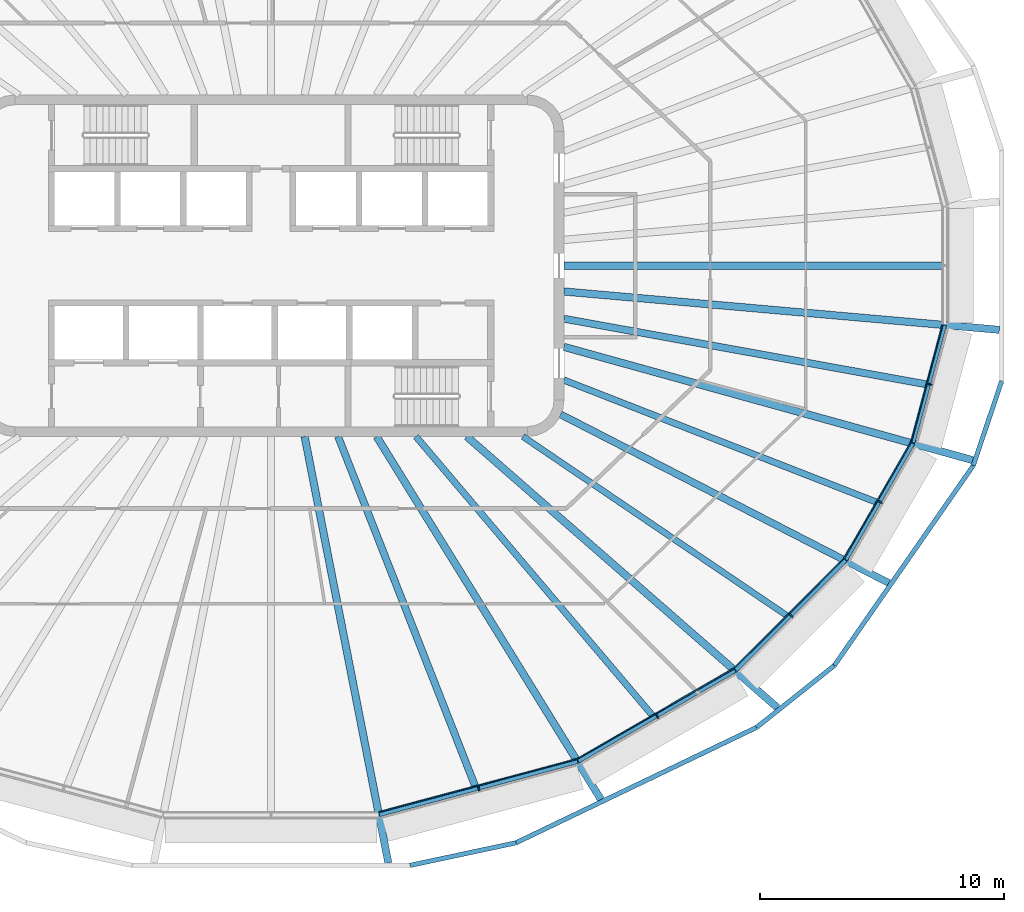
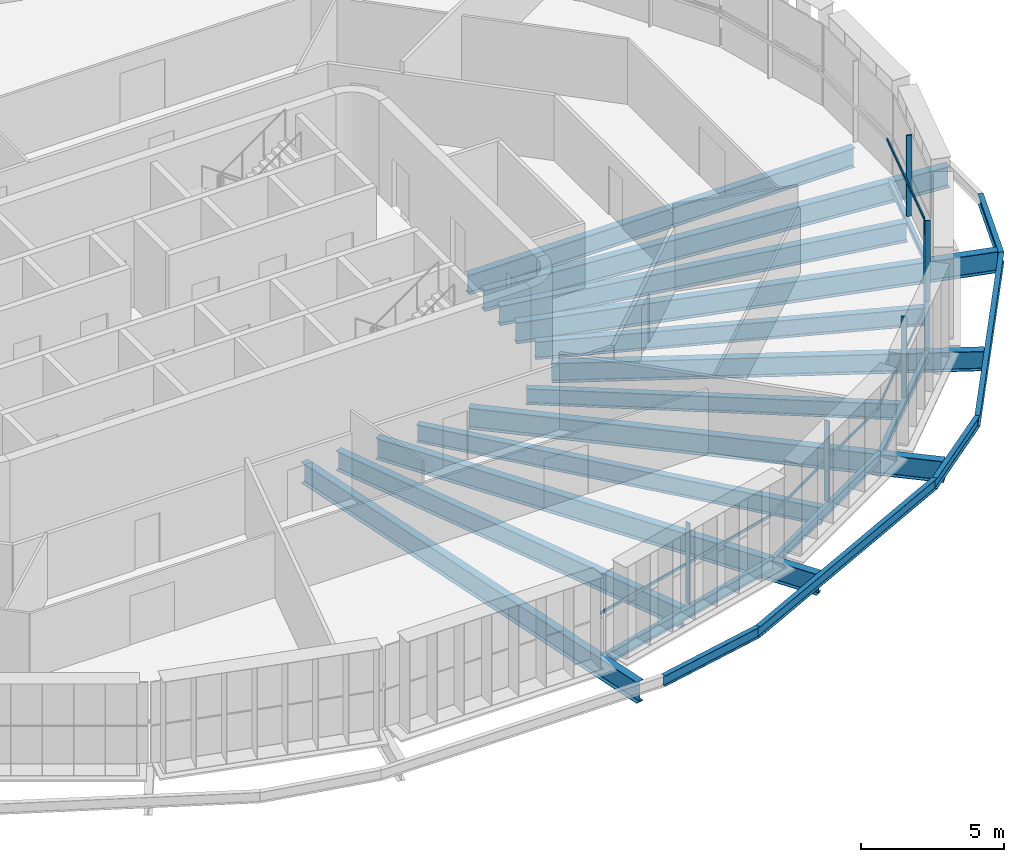
# One storey, part 4 of 18: 22 beams, 10 members, 5 elements without a shape of their own.
"""IFC4 building model written with IfcOpenShell, lengths in metres."""

import ifcopenshell
import ifcopenshell.guid

model = None  # the IFC model being written
_history = None  # IfcOwnerHistory: only IFC2X3 demands one
_inside = {}  # id of a spatial element -> (the spatial element, [elements in it])
_under = {}  # id of a project, library or spatial element -> (it, [spatial elements below it])
_declared = {}  # id of a project -> (the project, [libraries it declares])
_typed = {}  # id of a type object -> (the type object, [elements of that type])
_made_of = {}  # id of a material, layer set ... -> (it, [elements and type objects made of it])


def new_model(schema):
    """Start an empty IFC model of exactly this schema.

    Asked for "IFC4X3", IfcOpenShell would pick the latest addendum, in which some entities
    have other attributes; the version numbers below select the first issue.
    IFC2X3 requires an IfcOwnerHistory on every rooted entity: one is made here for all.
    """
    global model, _history
    if schema == "IFC4X3":
        model = ifcopenshell.file(schema_version=(4, 3, 0, 0))
    else:
        model = ifcopenshell.file(schema=schema)
    _inside.clear()
    _under.clear()
    _declared.clear()
    _typed.clear()
    _made_of.clear()
    _history = None
    if model.schema == "IFC2X3":
        org = make("IfcOrganization", Name="unknown")
        user = make(
            "IfcPersonAndOrganization",
            ThePerson=make("IfcPerson", FamilyName="unknown"),
            TheOrganization=org,
        )
        app = make(
            "IfcApplication",
            ApplicationDeveloper=org,
            Version="unknown",
            ApplicationFullName="unknown",
            ApplicationIdentifier="unknown",
        )
        _history = make(
            "IfcOwnerHistory",
            OwningUser=user,
            OwningApplication=app,
            ChangeAction="ADDED",
            CreationDate=0,
        )
    return model


def make(cls, **values):
    """One entity of the class cls with the attributes given. An attribute that is None is left unset."""
    return model.create_entity(
        cls, **{name: value for name, value in values.items() if value is not None}
    )


def rooted(cls, **values):
    """An entity with a GlobalId (a new one), such as an element, a storey or a relation."""
    return make(cls, GlobalId=ifcopenshell.guid.new(), OwnerHistory=_history, **values)


def si_unit(unit_type, name, prefix=None):
    """IfcSIUnit, for example si_unit("LENGTHUNIT", "METRE", prefix="MILLI")."""
    return make("IfcSIUnit", UnitType=unit_type, Prefix=prefix, Name=name)


def assignment(units):
    """IfcUnitAssignment: the units of a project."""
    return None if units is None else make("IfcUnitAssignment", Units=units)


def point(xyz):
    """IfcCartesianPoint."""
    return None if xyz is None else make("IfcCartesianPoint", Coordinates=xyz)


def direction(xyz):
    """IfcDirection."""
    return None if xyz is None else make("IfcDirection", DirectionRatios=xyz)


def frame(location, z_axis=None, x_axis=None):
    """IfcAxis2Placement3D, a coordinate frame: its origin and axes. An axis left out is left unset."""
    return make(
        "IfcAxis2Placement3D",
        Location=point(location),
        Axis=direction(z_axis),
        RefDirection=direction(x_axis),
    )


def frame_2d(location, x_axis=None):
    """IfcAxis2Placement2D, a coordinate frame in the plane: its origin and x axis."""
    return make(
        "IfcAxis2Placement2D", Location=point(location), RefDirection=direction(x_axis)
    )


def origin():
    """The frame at (0, 0, 0) with its axes left unset."""
    return frame((0.0, 0.0, 0.0))


def origin_2d():
    """The frame at (0, 0) in the plane with its x axis left unset."""
    return frame_2d((0.0, 0.0))


def place(relative_to, where):
    """IfcLocalPlacement: puts the frame where relative to a parent placement (None: the world)."""
    return make(
        "IfcLocalPlacement", PlacementRelTo=relative_to, RelativePlacement=where
    )


def context(
    kind, dimensions, precision=None, world=None, true_north=None, identifier=None
):
    """IfcGeometricRepresentationContext, for example the 3D "Model" context."""
    return make(
        "IfcGeometricRepresentationContext",
        ContextIdentifier=identifier,
        ContextType=kind,
        CoordinateSpaceDimension=dimensions,
        Precision=precision,
        WorldCoordinateSystem=world,
        TrueNorth=true_north,
    )


def subcontext(parent, identifier, kind, view, scale=None):
    """IfcGeometricRepresentationSubContext, for example "Body" below "Model"."""
    return make(
        "IfcGeometricRepresentationSubContext",
        ContextIdentifier=identifier,
        ContextType=kind,
        ParentContext=parent,
        TargetScale=scale,
        TargetView=view,
    )


def project(units=None, contexts=None):
    """IfcProject with its units and contexts."""
    return rooted(
        "IfcProject",
        Name="project",
        RepresentationContexts=contexts,
        UnitsInContext=assignment(units),
    )


def spatial(cls, under=None, at=None, **own):
    """A site, building, storey or space (cls), placed at a placement, below another one or the project."""
    s = rooted(cls, ObjectPlacement=at, **own)
    if under is not None:
        _under.setdefault(under.id(), (under, []))[1].append(s)
    return s


def profile(cls, at=None, kind="AREA", **sizes):
    """A parametric profile (cls). Its sizes go by their IFC names, for example OverallWidth=200.0."""
    return make(cls, ProfileType=kind, Position=at, **sizes)


def rectangle(**sizes):
    """IfcRectangleProfileDef."""
    return profile("IfcRectangleProfileDef", **sizes)


def i_section(**sizes):
    """IfcIShapeProfileDef."""
    return profile("IfcIShapeProfileDef", **sizes)


def extrude(swept, where, along, depth):
    """IfcExtrudedAreaSolid: the profile swept, set in the frame where, extruded along a direction by depth."""
    return make(
        "IfcExtrudedAreaSolid",
        SweptArea=swept,
        Position=where,
        ExtrudedDirection=direction(along),
        Depth=depth,
    )


def shape(context_of_items, identifier, shape_type, items):
    """IfcShapeRepresentation: the items that make up one representation, for example the "Body"."""
    return make(
        "IfcShapeRepresentation",
        ContextOfItems=context_of_items,
        RepresentationIdentifier=identifier,
        RepresentationType=shape_type,
        Items=items,
    )


def material(Name=None, Category=None):
    """IfcMaterial."""
    return make("IfcMaterial", Name=Name, Category=Category)


def layer(
    of_material, thickness, ventilated=None, Name=None, Category=None, Priority=None
):
    """IfcMaterialLayer: one layer of a wall or slab, of a material (None: an air gap)."""
    return make(
        "IfcMaterialLayer",
        Material=of_material,
        LayerThickness=thickness,
        IsVentilated=ventilated,
        Name=Name,
        Category=Category,
        Priority=Priority,
    )


def layer_set(layers, Name=None):
    """IfcMaterialLayerSet."""
    return make("IfcMaterialLayerSet", MaterialLayers=layers, LayerSetName=Name)


def material_profile(
    of_material, cross_section, Name=None, Category=None, Priority=None
):
    """IfcMaterialProfile: a cross section and its material."""
    return make(
        "IfcMaterialProfile",
        Name=Name,
        Material=of_material,
        Profile=cross_section,
        Priority=Priority,
        Category=Category,
    )


def profile_set(profiles, Name=None, composite=None):
    """IfcMaterialProfileSet."""
    return make(
        "IfcMaterialProfileSet",
        Name=Name,
        MaterialProfiles=profiles,
        CompositeProfile=composite,
    )


def made_of(thing, what):
    """Note that an element or type object is made of a material, layer set ...; save() writes the relation."""
    if what is not None:
        _made_of.setdefault(what.id(), (what, []))[1].append(thing)
    return thing


def type_object(cls, material=None, **own):
    """A type object (cls), such as IfcWallType, which elements share."""
    return made_of(rooted(cls, **own), material)


def element(
    cls,
    number,
    at=None,
    inside=None,
    cuts=None,
    type_object=None,
    material=None,
    context=None,
    identifier="Body",
    shape_type=None,
    held_by="IfcProductDefinitionShape",
    body=None,
    shapes=None,
    **own,
):
    """One element of the class cls, such as IfcWall. Its Tag is "e" and its number.

    at: its placement. inside: the storey or other place that contains it. cuts: it is an
    opening in that element (IfcRelVoidsElement). A single representation is given by context,
    identifier, shape_type and body (its items); several are given by shapes. held_by: the class
    of the entity that holds the representations. save() writes the other relations.
    """
    e = rooted(cls, Tag="e%d" % number, ObjectPlacement=at, **own)
    if body is not None:
        shapes = [shape(context, identifier, shape_type, body)]
    if shapes is not None:
        e.Representation = make(held_by, Representations=shapes)
    if inside is not None:
        _inside.setdefault(inside.id(), (inside, []))[1].append(e)
    if cuts is not None:
        rooted(
            "IfcRelVoidsElement", RelatingBuildingElement=cuts, RelatedOpeningElement=e
        )
    if type_object is not None:
        _typed.setdefault(type_object.id(), (type_object, []))[1].append(e)
    return made_of(e, material)


def aggregate(whole, parts):
    """IfcRelAggregates: a whole, such as a stair, and the parts it consists of."""
    return rooted("IfcRelAggregates", RelatingObject=whole, RelatedObjects=parts)


def save(model, path):
    """Write the relations noted so far, then the file.

    IfcRelAggregates (storeys below a building ...), IfcRelContainedInSpatialStructure (elements
    in a storey), IfcRelDefinesByType, IfcRelAssociatesMaterial and IfcRelDeclares: one each for
    every whole, place, type object, material and project.
    """
    for whole, parts in _under.values():
        aggregate(whole, parts)
    for where, things in _inside.values():
        rooted(
            "IfcRelContainedInSpatialStructure",
            RelatedElements=things,
            RelatingStructure=where,
        )
    for kind, things in _typed.values():
        rooted("IfcRelDefinesByType", RelatedObjects=things, RelatingType=kind)
    for what, things in _made_of.values():
        rooted("IfcRelAssociatesMaterial", RelatedObjects=things, RelatingMaterial=what)
    for by, libraries in _declared.values():
        rooted("IfcRelDeclares", RelatingContext=by, RelatedDefinitions=libraries)
    model.write(path)


model = new_model("IFC4")

# Units and contexts
model_context = context("Model", 3, precision=1e-05, world=origin(), true_north=direction((0.0, 1.0)))
body_context = subcontext(model_context, "Body", "Model", "MODEL_VIEW")
ifc_project = project(units=[si_unit("LENGTHUNIT", "METRE"), si_unit("AREAUNIT", "SQUARE_METRE"), si_unit("VOLUMEUNIT", "CUBIC_METRE"), si_unit("PLANEANGLEUNIT", "RADIAN"), si_unit("MASSUNIT", "GRAM", prefix="KILO")], contexts=[model_context])

# Site, building, storey
site_placement = place(None, origin())
site = spatial("IfcSite", under=ifc_project, at=site_placement, CompositionType="ELEMENT")
building_placement = place(site_placement, origin())
building = spatial("IfcBuilding", under=site, at=building_placement, Name="Sahrelin Media Tower", CompositionType="ELEMENT")
storey_placement = place(building_placement, frame((0.0, 0.0, 295.0)))
storey = spatial("IfcBuildingStorey", under=building, at=storey_placement, Name="L65", CompositionType="ELEMENT", Elevation=295.0)

# Beams
ifc_material_1 = material(Name="Steel S355", Category="steel")
ifc_material_profile_1 = material_profile(ifc_material_1, i_section(OverallWidth=0.14599609375, OverallDepth=0.25146484375, WebThickness=0.006103515625, FlangeThickness=0.008544921875, FilletRadius=0.007568359375, at=origin_2d()), Name="UB 254x146x31")
ifc_profile_set_1 = profile_set([ifc_material_profile_1], Name="Steel S355")
beam_type_1 = type_object("IfcBeamType", Name="Edge beam EB1", PredefinedType="BEAM", material=ifc_profile_set_1)
beam_1_placement = place(storey_placement, frame((27.602783203125, -2.4384765625, -0.275634765625), z_axis=(-0.258816802919, -0.965926427078, 0.0), x_axis=(0.965926427078, -0.258816802919, 0.0)))
element("IfcBeam", 1, at=beam_1_placement, inside=storey, type_object=beam_type_1, Name="Edge beam L65-02", PredefinedType="BEAM", context=body_context, shape_type="SweptSolid", body=[
    extrude(i_section(OverallWidth=0.14599609375, OverallDepth=0.25146484375, WebThickness=0.006103515625, FlangeThickness=0.008544921875, FilletRadius=0.007568359375, at=origin_2d()), origin(), (0.0, 0.0, 1.0), 4.989013671875),
])
ifc_material_profile_2 = material_profile(ifc_material_1, i_section(OverallWidth=0.1650390625, OverallDepth=0.303466796875, WebThickness=0.006103515625, FlangeThickness=0.01025390625, FilletRadius=0.0087890625, at=origin_2d()), Name="UB 305x165x40")
ifc_profile_set_2 = profile_set([ifc_material_profile_2], Name="Steel S355")
beam_type_2 = type_object("IfcBeamType", Name="Edge beam EB2", PredefinedType="BEAM", material=ifc_profile_set_2)
beam_2_placement = place(storey_placement, frame((26.300537109375, -7.2841796875, -0.3017578125), z_axis=(-0.500009232748, -0.866020073189, 0.0), x_axis=(0.866020073189, -0.500009232748, 0.0)))
element("IfcBeam", 2, at=beam_2_placement, inside=storey, type_object=beam_type_2, Name="Edge beam L65-03", PredefinedType="BEAM", context=body_context, shape_type="SweptSolid", body=[
    extrude(i_section(OverallWidth=0.1650390625, OverallDepth=0.303466796875, WebThickness=0.006103515625, FlangeThickness=0.01025390625, FilletRadius=0.0087890625, at=origin_2d()), origin(), (0.0, 0.0, 1.0), 5.50244140625),
])
ifc_material_profile_3 = material_profile(ifc_material_1, i_section(OverallWidth=0.17138671875, OverallDepth=0.35498046875, WebThickness=0.00732421875, FlangeThickness=0.011474609375, FilletRadius=0.01025390625, at=origin_2d()), Name="UB 356x171x51")
ifc_profile_set_3 = profile_set([ifc_material_profile_3], Name="Steel S355")
beam_type_3 = type_object("IfcBeamType", Name="Edge beam EB3", PredefinedType="BEAM", material=ifc_profile_set_3)
beam_3_placement = place(storey_placement, frame((23.53173828125, -12.072265625, -0.327392578125), z_axis=(-0.707106781187, -0.707106781187, 0.0), x_axis=(0.707106781187, -0.707106781187, 0.0)))
element("IfcBeam", 3, at=beam_3_placement, inside=storey, type_object=beam_type_3, Name="Edge beam L65-04", PredefinedType="BEAM", context=body_context, shape_type="SweptSolid", body=[
    extrude(i_section(OverallWidth=0.17138671875, OverallDepth=0.35498046875, WebThickness=0.00732421875, FlangeThickness=0.011474609375, FilletRadius=0.01025390625, at=origin_2d()), origin(), (0.0, 0.0, 1.0), 6.3515625),
])
ifc_material_profile_4 = material_profile(ifc_material_1, i_section(OverallWidth=0.177978515625, OverallDepth=0.406494140625, WebThickness=0.0078125, FlangeThickness=0.0126953125, FilletRadius=0.01025390625, at=origin_2d()), Name="UB 406x178x60")
ifc_profile_set_4 = profile_set([ifc_material_profile_4], Name="Steel S355")
beam_type_4 = type_object("IfcBeamType", Name="Edge beam EB4", PredefinedType="BEAM", material=ifc_profile_set_4)
beam_4_placement = place(storey_placement, frame((19.017578125, -16.580810546875, -0.353271484375), z_axis=(-0.866009322333, -0.500027852856, 0.0), x_axis=(0.500027852856, -0.866009322333, 0.0)))
element("IfcBeam", 4, at=beam_4_placement, inside=storey, type_object=beam_type_4, Name="Edge beam L65-05", PredefinedType="BEAM", context=body_context, shape_type="SweptSolid", body=[
    extrude(i_section(OverallWidth=0.177978515625, OverallDepth=0.406494140625, WebThickness=0.0078125, FlangeThickness=0.0126953125, FilletRadius=0.01025390625, at=origin_2d()), origin(), (0.0, 0.0, 1.0), 7.42724609375),
])
ifc_material_profile_5 = material_profile(ifc_material_1, i_section(OverallWidth=0.1904296875, OverallDepth=0.45703125, WebThickness=0.009033203125, FlangeThickness=0.014404296875, FilletRadius=0.01025390625, at=origin_2d()), Name="UB 457x191x74")
ifc_profile_set_5 = profile_set([ifc_material_profile_5], Name="Steel S355")
beam_type_5 = type_object("IfcBeamType", Name="Edge beam EB5", PredefinedType="BEAM", material=ifc_profile_set_5)
beam_5_placement = place(storey_placement, frame((12.558837890625, -20.3056640625, -0.37841796875), z_axis=(-0.965928221005, -0.258810107735, 0.0), x_axis=(0.258810107735, -0.965928221005, 0.0)))
element("IfcBeam", 5, at=beam_5_placement, inside=storey, type_object=beam_type_5, Name="Edge beam L65-06", PredefinedType="BEAM", context=body_context, shape_type="SweptSolid", body=[
    extrude(i_section(OverallWidth=0.1904296875, OverallDepth=0.45703125, WebThickness=0.009033203125, FlangeThickness=0.014404296875, FilletRadius=0.01025390625, at=origin_2d()), origin(), (0.0, 0.0, 1.0), 8.40771484375),
])

# Curtain wall, member
ifc_material_2 = material(Name="Champagne anodised aluminium 6063-T6", Category="aluminium")
ifc_layer = layer(ifc_material_2, 0.14990234375)
ifc_layer_set = layer_set([ifc_layer], Name="Tower ribbon curtain wall")
curtain_wall_type = type_object("IfcCurtainWallType", Name="Tower ribbon curtain wall", PredefinedType="NOTDEFINED", material=ifc_layer_set)
curtain_wall_1_placement = place(storey_placement, frame((8.536865234375, -21.53857421875, 0.0), z_axis=(0.0, 0.0, 1.0), x_axis=(1.0, 0.0, 0.0)))
curtain_wall_1 = element("IfcCurtainWall", 6, at=curtain_wall_1_placement, inside=storey, type_object=curtain_wall_type, Name="L65:CW:L65-19", PredefinedType="NOTDEFINED")
ifc_material_profile_6 = material_profile(ifc_material_2, rectangle(XDim=0.06005859375, YDim=0.199951171875, at=origin_2d()), Name="Mullion 60x200")
ifc_profile_set_6 = profile_set([ifc_material_profile_6], Name="Champagne anodised aluminium 6063-T6")
member_type_1 = type_object("IfcMemberType", Name="Mullion 60x200 CW1C", PredefinedType="MULLION", material=ifc_profile_set_6)
member_1_placement = place(storey_placement, frame((8.505859375, -21.422607421875, 0.0), z_axis=(0.0, 0.0, 1.0), x_axis=(0.965927633163, 0.258812301662, 0.0)))
member_1 = element("IfcMember", 7, at=member_1_placement, type_object=member_type_1, Name="L65:CWM:L65-19", PredefinedType="MULLION", context=body_context, shape_type="SweptSolid", body=[
    extrude(rectangle(XDim=0.06005859375, YDim=0.199951171875, at=origin_2d()), origin(), (0.0, 0.0, 1.0), 3.448486328125),
])

curtain_wall_2_placement = place(storey_placement, frame((15.876708984375, -18.567626953125, 0.0), z_axis=(0.0, 0.0, 1.0), x_axis=(1.0, 0.0, 0.0)))
curtain_wall_2 = element("IfcCurtainWall", 8, at=curtain_wall_2_placement, inside=storey, type_object=curtain_wall_type, Name="L65:CW:L65-20", PredefinedType="NOTDEFINED")
member_2_placement = place(storey_placement, frame((15.81640625, -18.4638671875, 0.0), z_axis=(0.0, 0.0, 1.0), x_axis=(0.866024531118, 0.500001511499, 0.0)))
member_2 = element("IfcMember", 9, at=member_2_placement, type_object=member_type_1, Name="L65:CWM:L65-20", PredefinedType="MULLION", context=body_context, shape_type="SweptSolid", body=[
    extrude(rectangle(XDim=0.06005859375, YDim=0.199951171875, at=origin_2d()), origin(), (0.0, 0.0, 1.0), 3.448486328125),
])

curtain_wall_3_placement = place(storey_placement, frame((21.39208984375, -14.423828125, 0.0), z_axis=(0.0, 0.0, 1.0), x_axis=(1.0, 0.0, 0.0)))
curtain_wall_3 = element("IfcCurtainWall", 10, at=curtain_wall_3_placement, inside=storey, type_object=curtain_wall_type, Name="L65:CW:L65-21", PredefinedType="NOTDEFINED")
member_3_placement = place(storey_placement, frame((21.307373046875, -14.339111328125, 0.0), z_axis=(0.0, 0.0, 1.0), x_axis=(0.707106781187, 0.707106781187, 0.0)))
member_3 = element("IfcMember", 11, at=member_3_placement, type_object=member_type_1, Name="L65:CWM:L65-21", PredefinedType="MULLION", context=body_context, shape_type="SweptSolid", body=[
    extrude(rectangle(XDim=0.06005859375, YDim=0.199951171875, at=origin_2d()), origin(), (0.0, 0.0, 1.0), 3.448486328125),
])

curtain_wall_4_placement = place(storey_placement, frame((25.054931640625, -9.74169921875, 0.0), z_axis=(0.0, 0.0, 1.0), x_axis=(1.0, 0.0, 0.0)))
curtain_wall_4 = element("IfcCurtainWall", 12, at=curtain_wall_4_placement, inside=storey, type_object=curtain_wall_type, Name="L65:CW:L65-22", PredefinedType="NOTDEFINED")
member_4_placement = place(storey_placement, frame((24.950927734375, -9.681640625, 0.0), z_axis=(0.0, 0.0, 1.0), x_axis=(0.500010580459, 0.866019295067, 0.0)))
member_4 = element("IfcMember", 13, at=member_4_placement, type_object=member_type_1, Name="L65:CWM:L65-22", PredefinedType="MULLION", context=body_context, shape_type="SweptSolid", body=[
    extrude(rectangle(XDim=0.06005859375, YDim=0.199951171875, at=origin_2d()), origin(), (0.0, 0.0, 1.0), 3.448486328125),
])

curtain_wall_5_placement = place(storey_placement, frame((27.10205078125, -4.886962890625, 0.0), z_axis=(0.0, 0.0, 1.0), x_axis=(1.0, 0.0, 0.0)))
curtain_wall_5 = element("IfcCurtainWall", 14, at=curtain_wall_5_placement, inside=storey, type_object=curtain_wall_type, Name="L65:CW:L65-23", PredefinedType="NOTDEFINED")
member_5_placement = place(storey_placement, frame((26.986083984375, -4.855712890625, 0.0), z_axis=(0.0, 0.0, 1.0), x_axis=(0.258817359244, 0.965926278012, 0.0)))
member_5 = element("IfcMember", 15, at=member_5_placement, type_object=member_type_1, Name="L65:CWM:L65-23", PredefinedType="MULLION", context=body_context, shape_type="SweptSolid", body=[
    extrude(rectangle(XDim=0.06005859375, YDim=0.199951171875, at=origin_2d()), origin(), (0.0, 0.0, 1.0), 3.448486328125),
])

# Beams
ifc_material_profile_7 = material_profile(ifc_material_1, i_section(OverallWidth=0.291748046875, OverallDepth=0.8349609375, WebThickness=0.013916015625, FlangeThickness=0.018798828125, FilletRadius=0.017822265625, at=origin_2d()), Name="UB 838x292x176")
ifc_profile_set_7 = profile_set([ifc_material_profile_7], Name="Steel S355")
beam_type_6 = type_object("IfcBeamType", Name="Radial primary beam PB10", PredefinedType="BEAM", material=ifc_profile_set_7)
beam_6_placement = place(storey_placement, frame((11.86376953125, -6.09375, -0.5673828125), z_axis=(0.889517357892, -0.456901378865, 0.0), x_axis=(0.456901378865, 0.889517357892, 0.0)))
element("IfcBeam", 16, at=beam_6_placement, inside=storey, type_object=beam_type_6, Name="Radial beam L65-22", PredefinedType="BEAM", context=body_context, shape_type="SweptSolid", body=[
    extrude(i_section(OverallWidth=0.291748046875, OverallDepth=0.8349609375, WebThickness=0.013916015625, FlangeThickness=0.018798828125, FilletRadius=0.017822265625, at=origin_2d()), origin(), (0.0, 0.0, 1.0), 15.11962890625),
])
ifc_material_profile_8 = material_profile(ifc_material_1, i_section(OverallWidth=0.30322265625, OverallDepth=0.903076171875, WebThickness=0.01513671875, FlangeThickness=0.020263671875, FilletRadius=0.01904296875, at=origin_2d()), Name="UB 914x305x201")
ifc_profile_set_8 = profile_set([ifc_material_profile_8], Name="Steel S355")
beam_type_7 = type_object("IfcBeamType", Name="Radial primary beam PB11", PredefinedType="BEAM", material=ifc_profile_set_8)
beam_7_placement = place(storey_placement, frame((1.3740234375, -7.0, -0.6015625), z_axis=(0.192606492872, -0.981276076802, 0.0), x_axis=(0.981276076802, 0.192606492872, 0.0)))
element("IfcBeam", 17, at=beam_7_placement, inside=storey, type_object=beam_type_7, Name="Radial beam L65-19", PredefinedType="BEAM", context=body_context, shape_type="SweptSolid", body=[
    extrude(i_section(OverallWidth=0.30322265625, OverallDepth=0.903076171875, WebThickness=0.01513671875, FlangeThickness=0.020263671875, FilletRadius=0.01904296875, at=origin_2d()), origin(), (0.0, 0.0, 1.0), 17.811767578125),
])
beam_8_placement = place(storey_placement, frame((4.3251953125, -7.0, -0.6015625), z_axis=(0.525640038522, -0.850707088194, 0.0), x_axis=(0.850707088194, 0.525640038522, 0.0)))
element("IfcBeam", 18, at=beam_8_placement, inside=storey, type_object=beam_type_7, Name="Radial beam L65-20", PredefinedType="BEAM", context=body_context, shape_type="SweptSolid", body=[
    extrude(i_section(OverallWidth=0.30322265625, OverallDepth=0.903076171875, WebThickness=0.01513671875, FlangeThickness=0.020263671875, FilletRadius=0.01904296875, at=origin_2d()), origin(), (0.0, 0.0, 1.0), 17.48291015625),
])
beam_9_placement = place(storey_placement, frame((8.018310546875, -7.0, -0.6015625), z_axis=(0.753326939071, -0.657646198856, 0.0), x_axis=(0.657646198856, 0.753326939071, 0.0)))
element("IfcBeam", 19, at=beam_9_placement, inside=storey, type_object=beam_type_7, Name="Radial beam L65-21", PredefinedType="BEAM", context=body_context, shape_type="SweptSolid", body=[
    extrude(i_section(OverallWidth=0.30322265625, OverallDepth=0.903076171875, WebThickness=0.01513671875, FlangeThickness=0.020263671875, FilletRadius=0.01904296875, at=origin_2d()), origin(), (0.0, 0.0, 1.0), 16.90185546875),
])
beam_10_placement = place(storey_placement, frame((12.0, -3.32568359375, -0.6015625), z_axis=(0.963677748892, -0.267067774713, 0.0), x_axis=(0.267067774713, 0.963677748892, 0.0)))
element("IfcBeam", 20, at=beam_10_placement, inside=storey, type_object=beam_type_7, Name="Radial beam L65-23", PredefinedType="BEAM", context=body_context, shape_type="SweptSolid", body=[
    extrude(i_section(OverallWidth=0.30322265625, OverallDepth=0.903076171875, WebThickness=0.01513671875, FlangeThickness=0.020263671875, FilletRadius=0.01904296875, at=origin_2d()), origin(), (0.0, 0.0, 1.0), 17.3779296875),
])
beam_11_placement = place(storey_placement, frame((12.0, -1.056640625, -0.6015625), z_axis=(0.996145419637, -0.087717175831, 0.0), x_axis=(0.087717175831, 0.996145419637, 0.0)))
element("IfcBeam", 21, at=beam_11_placement, inside=storey, type_object=beam_type_7, Name="Radial beam L65-24", PredefinedType="BEAM", context=body_context, shape_type="SweptSolid", body=[
    extrude(i_section(OverallWidth=0.30322265625, OverallDepth=0.903076171875, WebThickness=0.01513671875, FlangeThickness=0.020263671875, FilletRadius=0.01904296875, at=origin_2d()), origin(), (0.0, 0.0, 1.0), 17.910400390625),
])
ifc_material_profile_9 = material_profile(ifc_material_1, i_section(OverallWidth=0.291748046875, OverallDepth=0.8349609375, WebThickness=0.013916015625, FlangeThickness=0.018798828125, FilletRadius=0.017822265625, at=origin_2d()), Name="UB 838x292x176")
ifc_profile_set_9 = profile_set([ifc_material_profile_9], Name="Steel S355")
beam_type_8 = type_object("IfcBeamType", Name="Radial secondary beam SB10", PredefinedType="BEAM", material=ifc_profile_set_9)
beam_12_placement = place(storey_placement, frame((2.744384765625, -7.0, -0.5673828125), z_axis=(0.365018797465, -0.931000149032, 0.0), x_axis=(0.931000149032, 0.365018797465, 0.0)))
element("IfcBeam", 22, at=beam_12_placement, inside=storey, type_object=beam_type_8, Name="Secondary beam L65-19", PredefinedType="BEAM", context=body_context, shape_type="SweptSolid", body=[
    extrude(i_section(OverallWidth=0.291748046875, OverallDepth=0.8349609375, WebThickness=0.013916015625, FlangeThickness=0.018798828125, FilletRadius=0.017822265625, at=origin_2d()), origin(), (0.0, 0.0, 1.0), 15.3935546875),
])
beam_13_placement = place(storey_placement, frame((12.0, -2.17236328125, -0.5673828125), z_axis=(0.984006815863, -0.178130812423, 0.0), x_axis=(0.178130812423, 0.984006815863, 0.0)))
element("IfcBeam", 23, at=beam_13_placement, inside=storey, type_object=beam_type_8, Name="Secondary beam L65-23", PredefinedType="BEAM", context=body_context, shape_type="SweptSolid", body=[
    extrude(i_section(OverallWidth=0.291748046875, OverallDepth=0.8349609375, WebThickness=0.013916015625, FlangeThickness=0.018798828125, FilletRadius=0.017822265625, at=origin_2d()), origin(), (0.0, 0.0, 1.0), 15.11865234375),
])
beam_14_placement = place(storey_placement, frame((12.0, 0.0, -0.5673828125), z_axis=(1.0, 0.0, 0.0), x_axis=(0.0, 1.0, 0.0)))
element("IfcBeam", 24, at=beam_14_placement, inside=storey, type_object=beam_type_8, Name="Secondary beam L65-24", PredefinedType="BEAM", context=body_context, shape_type="SweptSolid", body=[
    extrude(i_section(OverallWidth=0.291748046875, OverallDepth=0.8349609375, WebThickness=0.013916015625, FlangeThickness=0.018798828125, FilletRadius=0.017822265625, at=origin_2d()), origin(), (0.0, 0.0, 1.0), 15.53369140625),
])
ifc_material_profile_10 = material_profile(ifc_material_1, i_section(OverallWidth=0.2529296875, OverallDepth=0.677978515625, WebThickness=0.01171875, FlangeThickness=0.01611328125, FilletRadius=0.01513671875, at=origin_2d()), Name="UB 686x254x125")
ifc_profile_set_10 = profile_set([ifc_material_profile_10], Name="Steel S355")
beam_type_9 = type_object("IfcBeamType", Name="Radial secondary beam SB8", PredefinedType="BEAM", material=ifc_profile_set_10)
beam_15_placement = place(storey_placement, frame((10.318115234375, -7.0, -0.489013671875), z_axis=(0.827525335728, -0.56142837364, 0.0), x_axis=(0.56142837364, 0.827525335728, 0.0)))
element("IfcBeam", 25, at=beam_15_placement, inside=storey, type_object=beam_type_9, Name="Secondary beam L65-21", PredefinedType="BEAM", context=body_context, shape_type="SweptSolid", body=[
    extrude(i_section(OverallWidth=0.2529296875, OverallDepth=0.677978515625, WebThickness=0.01171875, FlangeThickness=0.01611328125, FilletRadius=0.01513671875, at=origin_2d()), origin(), (0.0, 0.0, 1.0), 13.077880859375),
])
ifc_material_profile_11 = material_profile(ifc_material_1, i_section(OverallWidth=0.26513671875, OverallDepth=0.75390625, WebThickness=0.0126953125, FlangeThickness=0.017578125, FilletRadius=0.0166015625, at=origin_2d()), Name="UB 762x267x147")
ifc_profile_set_11 = profile_set([ifc_material_profile_11], Name="Steel S355")
beam_type_10 = type_object("IfcBeamType", Name="Radial secondary beam SB9", PredefinedType="BEAM", material=ifc_profile_set_11)
beam_16_placement = place(storey_placement, frame((5.935546875, -7.0, -0.527099609375), z_axis=(0.646730360322, -0.762718716853, 0.0), x_axis=(0.762718716853, 0.646730360322, 0.0)))
element("IfcBeam", 26, at=beam_16_placement, inside=storey, type_object=beam_type_10, Name="Secondary beam L65-20", PredefinedType="BEAM", context=body_context, shape_type="SweptSolid", body=[
    extrude(i_section(OverallWidth=0.26513671875, OverallDepth=0.75390625, WebThickness=0.0126953125, FlangeThickness=0.017578125, FilletRadius=0.0166015625, at=origin_2d()), origin(), (0.0, 0.0, 1.0), 14.990966796875),
])
beam_17_placement = place(storey_placement, frame((12.0, -4.68798828125, -0.527099609375), z_axis=(0.931449737277, -0.363870013777, 0.0), x_axis=(0.363870013777, 0.931449737277, 0.0)))
element("IfcBeam", 27, at=beam_17_placement, inside=storey, type_object=beam_type_10, Name="Secondary beam L65-22", PredefinedType="BEAM", context=body_context, shape_type="SweptSolid", body=[
    extrude(i_section(OverallWidth=0.26513671875, OverallDepth=0.75390625, WebThickness=0.0126953125, FlangeThickness=0.017578125, FilletRadius=0.0166015625, at=origin_2d()), origin(), (0.0, 0.0, 1.0), 13.75732421875),
])
ifc_material_profile_12 = material_profile(ifc_material_1, i_section(OverallWidth=0.1904296875, OverallDepth=0.45703125, WebThickness=0.009033203125, FlangeThickness=0.014404296875, FilletRadius=0.01025390625, at=origin_2d()), Name="UB 457x191x74")
ifc_profile_set_12 = profile_set([ifc_material_profile_12], Name="Steel S355")
beam_type_11 = type_object("IfcBeamType", Name="Tie chord TC5", PredefinedType="BEAM", material=ifc_profile_set_12)
beam_18_placement = place(storey_placement, frame((5.692626953125, -24.573486328125, -0.37841796875), z_axis=(0.977982969165, 0.208684719191, 0.0), x_axis=(-0.208684719191, 0.977982969165, 0.0)))
element("IfcBeam", 28, at=beam_18_placement, inside=storey, type_object=beam_type_11, Name="Tie chord L65-19", PredefinedType="BEAM", context=body_context, shape_type="SweptSolid", body=[
    extrude(i_section(OverallWidth=0.1904296875, OverallDepth=0.45703125, WebThickness=0.009033203125, FlangeThickness=0.014404296875, FilletRadius=0.01025390625, at=origin_2d()), origin(), (0.0, 0.0, 1.0), 4.443359375),
])
beam_19_placement = place(storey_placement, frame((10.0380859375, -23.646240234375, -0.37841796875), z_axis=(0.901625452697, 0.432517679465, 0.0), x_axis=(-0.432517679465, 0.901625452697, 0.0)))
element("IfcBeam", 29, at=beam_19_placement, inside=storey, type_object=beam_type_11, Name="Tie chord L65-20", PredefinedType="BEAM", context=body_context, shape_type="SweptSolid", body=[
    extrude(i_section(OverallWidth=0.1904296875, OverallDepth=0.45703125, WebThickness=0.009033203125, FlangeThickness=0.014404296875, FilletRadius=0.01025390625, at=origin_2d()), origin(), (0.0, 0.0, 1.0), 10.93603515625),
])
beam_20_placement = place(storey_placement, frame((19.898193359375, -18.916259765625, -0.37841796875), z_axis=(0.782272559635, 0.62293630689, 0.0), x_axis=(-0.62293630689, 0.782272559635, 0.0)))
element("IfcBeam", 30, at=beam_20_placement, inside=storey, type_object=beam_type_11, Name="Tie chord L65-21", PredefinedType="BEAM", context=body_context, shape_type="SweptSolid", body=[
    extrude(i_section(OverallWidth=0.1904296875, OverallDepth=0.45703125, WebThickness=0.009033203125, FlangeThickness=0.014404296875, FilletRadius=0.01025390625, at=origin_2d()), origin(), (0.0, 0.0, 1.0), 4.066650390625),
])
beam_21_placement = place(storey_placement, frame((23.079345703125, -16.383056640625, -0.37841796875), z_axis=(0.570635637769, 0.821203366352, 0.0), x_axis=(-0.821203366352, 0.570635637769, 0.0)))
element("IfcBeam", 31, at=beam_21_placement, inside=storey, type_object=beam_type_11, Name="Tie chord L65-22", PredefinedType="BEAM", context=body_context, shape_type="SweptSolid", body=[
    extrude(i_section(OverallWidth=0.1904296875, OverallDepth=0.45703125, WebThickness=0.009033203125, FlangeThickness=0.014404296875, FilletRadius=0.01025390625, at=origin_2d()), origin(), (0.0, 0.0, 1.0), 9.976318359375),
])
beam_22_placement = place(storey_placement, frame((28.772216796875, -8.1904296875, -0.37841796875), z_axis=(0.318894557545, 0.94779019892, 0.0), x_axis=(-0.94779019892, 0.318894557545, 0.0)))
element("IfcBeam", 32, at=beam_22_placement, inside=storey, type_object=beam_type_11, Name="Tie chord L65-23", PredefinedType="BEAM", context=body_context, shape_type="SweptSolid", body=[
    extrude(i_section(OverallWidth=0.1904296875, OverallDepth=0.45703125, WebThickness=0.009033203125, FlangeThickness=0.014404296875, FilletRadius=0.01025390625, at=origin_2d()), origin(), (0.0, 0.0, 1.0), 3.651123046875),
])

# Member
ifc_material_profile_13 = material_profile(ifc_material_2, rectangle(XDim=0.050048828125, YDim=0.1201171875, at=origin_2d()), Name="Transom 50x120")
ifc_profile_set_13 = profile_set([ifc_material_profile_13], Name="Champagne anodised aluminium 6063-T6")
member_type_2 = type_object("IfcMemberType", Name="Transom 50x120 CW1C", PredefinedType="USERDEFINED", material=ifc_profile_set_13)
member_6_placement = place(storey_placement, frame((4.427978515625, -22.385986328125, 1.60009765625), z_axis=(0.965926585438, 0.258816211903, 0.0), x_axis=(-0.258816211903, 0.965926585438, 0.0)))
member_6 = element("IfcMember", 33, at=member_6_placement, type_object=member_type_2, Name="L65:CWT:L65-19", ObjectType="TRANSOM", PredefinedType="USERDEFINED", context=body_context, shape_type="SweptSolid", body=[
    extrude(rectangle(XDim=0.050048828125, YDim=0.1201171875, at=origin_2d()), origin(), (0.0, 0.0, 1.0), 8.37646484375),
])

aggregate(curtain_wall_1, [member_1, member_6])

member_7_placement = place(storey_placement, frame((12.551513671875, -20.20458984375, 1.60009765625), z_axis=(0.866022320763, 0.500005339912, 0.0), x_axis=(-0.500005339912, 0.866022320763, 0.0)))
member_7 = element("IfcMember", 34, at=member_7_placement, type_object=member_type_2, Name="L65:CWT:L65-20", ObjectType="TRANSOM", PredefinedType="USERDEFINED", context=body_context, shape_type="SweptSolid", body=[
    extrude(rectangle(XDim=0.050048828125, YDim=0.1201171875, at=origin_2d()), origin(), (0.0, 0.0, 1.0), 7.39599609375),
])

aggregate(curtain_wall_2, [member_2, member_7])

member_8_placement = place(storey_placement, frame((18.984619140625, -16.485107421875, 1.60009765625), z_axis=(0.707106781187, 0.707106781187, 0.0), x_axis=(-0.707106781187, 0.707106781187, 0.0)))
member_8 = element("IfcMember", 35, at=member_8_placement, type_object=member_type_2, Name="L65:CWT:L65-21", ObjectType="TRANSOM", PredefinedType="USERDEFINED", context=body_context, shape_type="SweptSolid", body=[
    extrude(rectangle(XDim=0.050048828125, YDim=0.1201171875, at=origin_2d()), origin(), (0.0, 0.0, 1.0), 6.320068359375),
])

aggregate(curtain_wall_3, [member_3, member_8])

member_9_placement = place(storey_placement, frame((23.474853515625, -11.98828125, 1.60009765625), z_axis=(0.500012159746, 0.866018383238, 0.0), x_axis=(-0.866018383238, 0.500012159746, 0.0)))
member_9 = element("IfcMember", 36, at=member_9_placement, type_object=member_type_2, Name="L65:CWT:L65-22", ObjectType="TRANSOM", PredefinedType="USERDEFINED", context=body_context, shape_type="SweptSolid", body=[
    extrude(rectangle(XDim=0.050048828125, YDim=0.1201171875, at=origin_2d()), origin(), (0.0, 0.0, 1.0), 5.470947265625),
])

aggregate(curtain_wall_4, [member_4, member_9])

member_10_placement = place(storey_placement, frame((26.223876953125, -7.2177734375, 1.60009765625), z_axis=(0.258839470569, 0.96592035307, 0.0), x_axis=(-0.96592035307, 0.258839470569, 0.0)))
member_10 = element("IfcMember", 37, at=member_10_placement, type_object=member_type_2, Name="L65:CWT:L65-23", ObjectType="TRANSOM", PredefinedType="USERDEFINED", context=body_context, shape_type="SweptSolid", body=[
    extrude(rectangle(XDim=0.050048828125, YDim=0.1201171875, at=origin_2d()), origin(), (0.0, 0.0, 1.0), 4.95751953125),
])

aggregate(curtain_wall_5, [member_5, member_10])

save(model, "model.ifc")
